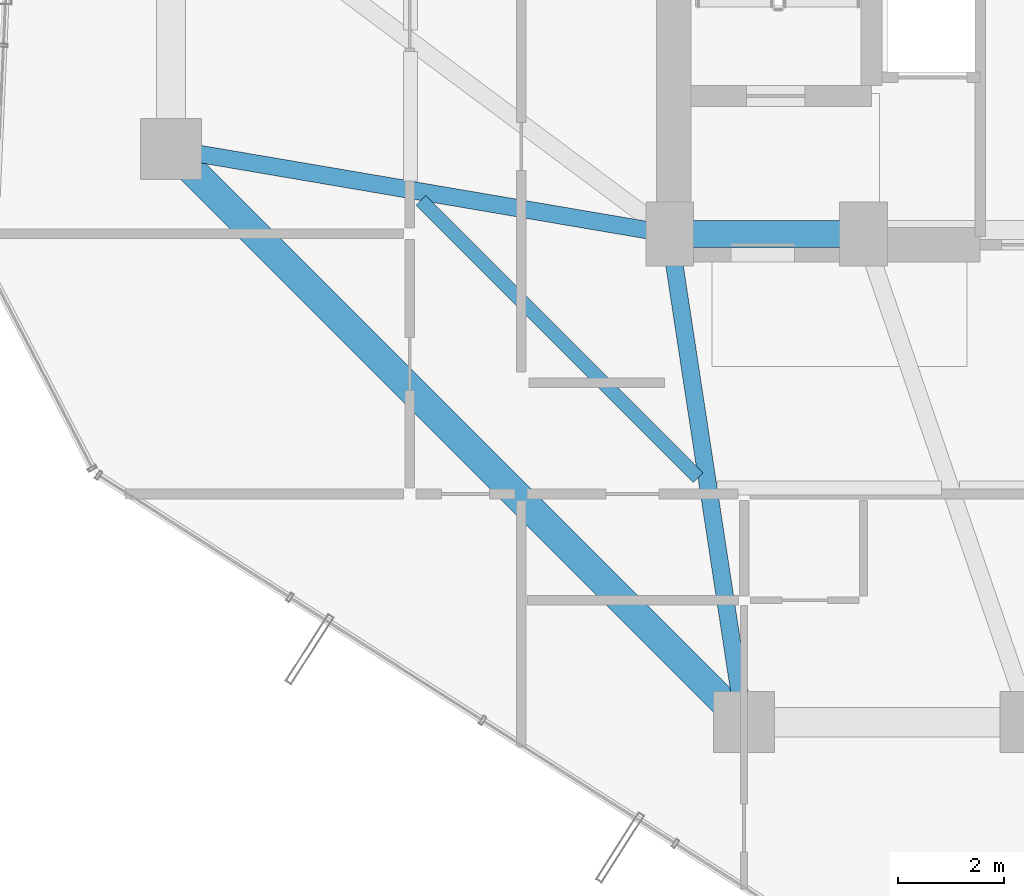
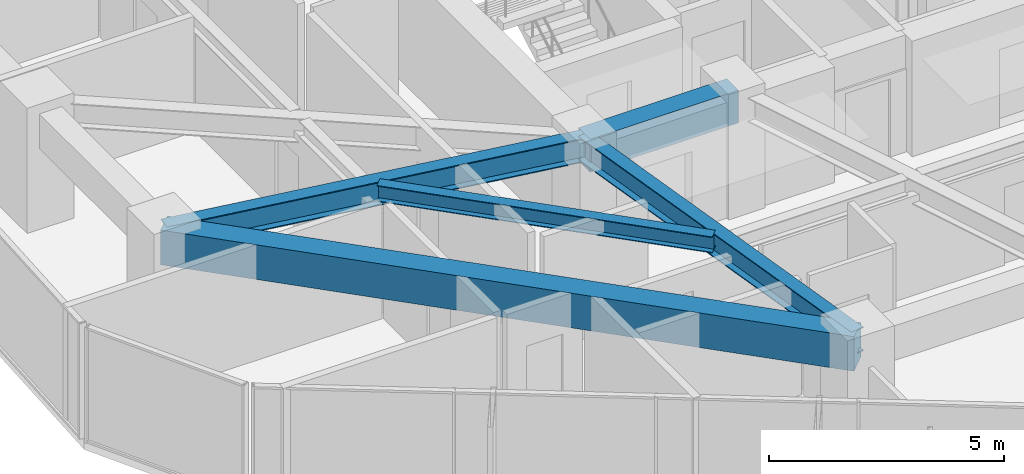
# One storey, part 5 of 30: 5 beams.
"""IFC4 building model written with IfcOpenShell, lengths in metres."""

from ifc_helpers import new_model, si_unit, direction, frame, origin, origin_2d, place, context, subcontext, project, spatial, rectangle, i_section, extrude, material, material_profile, profile_set, type_object, element, save


model = new_model("IFC4")

# Units and contexts
model_context = context("Model", 3, precision=1e-05, world=origin(), true_north=direction((0.0, 1.0)))
body_context = subcontext(model_context, "Body", "Model", "MODEL_VIEW")
ifc_project = project(units=[si_unit("LENGTHUNIT", "METRE"), si_unit("AREAUNIT", "SQUARE_METRE"), si_unit("VOLUMEUNIT", "CUBIC_METRE"), si_unit("PLANEANGLEUNIT", "RADIAN"), si_unit("MASSUNIT", "GRAM", prefix="KILO")], contexts=[model_context])

# Site, building, storey
site_placement = place(None, origin())
site = spatial("IfcSite", under=ifc_project, at=site_placement, CompositionType="ELEMENT")
building_placement = place(site_placement, origin())
building = spatial("IfcBuilding", under=site, at=building_placement, Name="Veraguas Prism Commons", CompositionType="ELEMENT")
storey_placement = place(building_placement, frame((0.0, 0.0, 119.75)))
storey = spatial("IfcBuildingStorey", under=building, at=storey_placement, Name="L33", CompositionType="ELEMENT", Elevation=119.75)

# Beams
ifc_material_1 = material(Name="Concrete C50/60", Category="concrete")
ifc_material_profile_1 = material_profile(ifc_material_1, rectangle(XDim=0.5, YDim=0.85009765625, at=origin_2d()), Name="RC500X850")
ifc_profile_set_1 = profile_set([ifc_material_profile_1], Name="Concrete C50/60")
beam_type_1 = type_object("IfcBeamType", Name="Core Coupling Beam RC 500x850", PredefinedType="BEAM", material=ifc_profile_set_1)
beam_1_placement = place(storey_placement, frame((17.199951171875, 17.0, 2.574951171875), z_axis=(1.0, 0.0, 0.0), x_axis=(0.0, 1.0, 0.0)))
element("IfcBeam", 1, at=beam_1_placement, inside=storey, type_object=beam_type_1, Name="Core Coupling Beam L33-CRS1", PredefinedType="BEAM", context=body_context, shape_type="SweptSolid", body=[
    extrude(rectangle(XDim=0.5, YDim=0.85009765625, at=origin_2d()), origin(), (0.0, 0.0, 1.0), 3.650146484375),
])
ifc_material_2 = material(Name="Steel ASTM A992 Grade 50", Category="steel")
ifc_material_profile_2 = material_profile(ifc_material_2, i_section(OverallWidth=0.260986328125, OverallDepth=0.419921875, WebThickness=0.01171875, FlangeThickness=0.019287109375, at=origin_2d()), Name="W410X114")
ifc_profile_set_2 = profile_set([ifc_material_profile_2], Name="Steel ASTM A992 Grade 50")
beam_type_2 = type_object("IfcBeamType", Name="Lower Floor Joist W410x114", PredefinedType="JOIST", material=ifc_profile_set_2)
beam_2_placement = place(storey_placement, frame((12.510009765625, 17.634033203125, 2.7900390625), z_axis=(0.707090260193, -0.707123301794, 0.0), x_axis=(0.707123301794, 0.707090260193, 0.0)))
element("IfcBeam", 2, at=beam_2_placement, inside=storey, type_object=beam_type_2, Name="Composite Floor Joist L33-JS09", PredefinedType="JOIST", context=body_context, shape_type="SweptSolid", body=[
    extrude(i_section(OverallWidth=0.260986328125, OverallDepth=0.419921875, WebThickness=0.01171875, FlangeThickness=0.019287109375, at=origin_2d()), origin(), (0.0, 0.0, 1.0), 7.388916015625),
])
ifc_material_profile_3 = material_profile(ifc_material_1, rectangle(XDim=0.550048828125, YDim=0.89990234375, at=origin_2d()), Name="RC550X900")
ifc_profile_set_3 = profile_set([ifc_material_profile_3], Name="Concrete C50/60")
beam_type_3 = type_object("IfcBeamType", Name="Perimeter Spandrel Lower RC 550x900", PredefinedType="SPANDREL", material=ifc_profile_set_3)
beam_3_placement = place(storey_placement, frame((7.800048828125, 18.60009765625, 2.550048828125), z_axis=(0.707106781187, -0.707106781187, 0.0), x_axis=(0.707106781187, 0.707106781187, 0.0)))
element("IfcBeam", 3, at=beam_3_placement, inside=storey, type_object=beam_type_3, Name="Perimeter Spandrel Beam L33-SP09", PredefinedType="SPANDREL", context=body_context, shape_type="SweptSolid", body=[
    extrude(rectangle(XDim=0.550048828125, YDim=0.89990234375, at=origin_2d()), origin(), (0.0, 0.0, 1.0), 15.273681640625),
])
ifc_material_profile_4 = material_profile(ifc_material_2, i_section(OverallWidth=0.327880859375, OverallDepth=0.6220703125, WebThickness=0.015380859375, FlangeThickness=0.0244140625, at=origin_2d()), Name="W610X195")
ifc_profile_set_4 = profile_set([ifc_material_profile_4], Name="Steel ASTM A992 Grade 50")
beam_type_4 = type_object("IfcBeamType", Name="Zone 2 Radial Girder W610x195", PredefinedType="BEAM", material=ifc_profile_set_4)
beam_4_placement = place(storey_placement, frame((7.800048828125, 18.60009765625, 2.68896484375), z_axis=(0.985819187151, -0.1678109956, 0.0), x_axis=(0.1678109956, 0.985819187151, 0.0)))
element("IfcBeam", 4, at=beam_4_placement, inside=storey, type_object=beam_type_4, Name="Radial Floor Girder L33-RD09", PredefinedType="BEAM", context=body_context, shape_type="SweptSolid", body=[
    extrude(i_section(OverallWidth=0.327880859375, OverallDepth=0.6220703125, WebThickness=0.015380859375, FlangeThickness=0.0244140625, at=origin_2d()), origin(), (0.0, 0.0, 1.0), 9.53515625),
])
beam_5_placement = place(storey_placement, frame((18.60009765625, 7.800048828125, 2.68896484375), z_axis=(-0.150458162136, 0.98861637729, 0.0), x_axis=(-0.98861637729, -0.150458162136, 0.0)))
element("IfcBeam", 5, at=beam_5_placement, inside=storey, type_object=beam_type_4, Name="Radial Floor Girder L33-RD10", PredefinedType="BEAM", context=body_context, shape_type="SweptSolid", body=[
    extrude(i_section(OverallWidth=0.327880859375, OverallDepth=0.6220703125, WebThickness=0.015380859375, FlangeThickness=0.0244140625, at=origin_2d()), origin(), (0.0, 0.0, 1.0), 9.305908203125),
])

save(model, "model.ifc")
